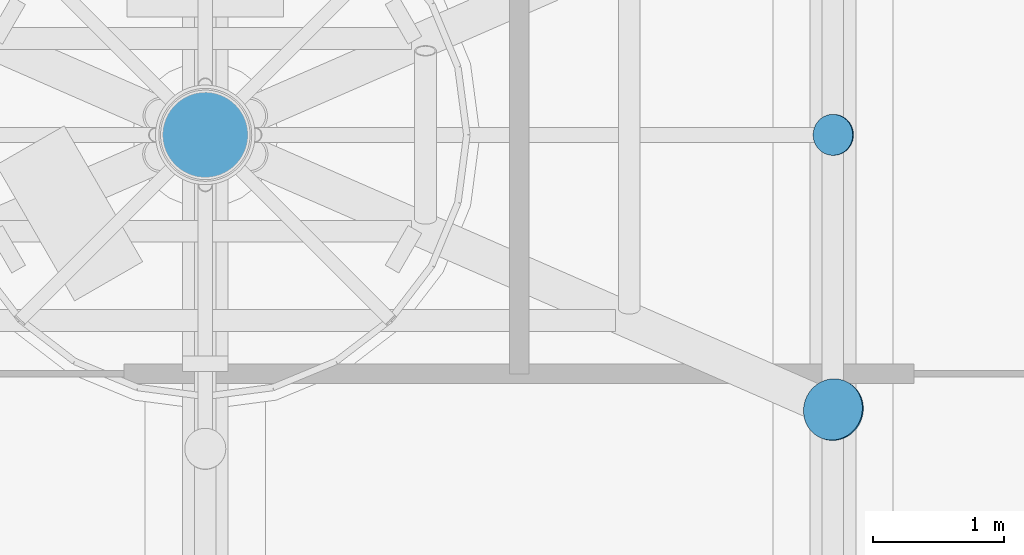
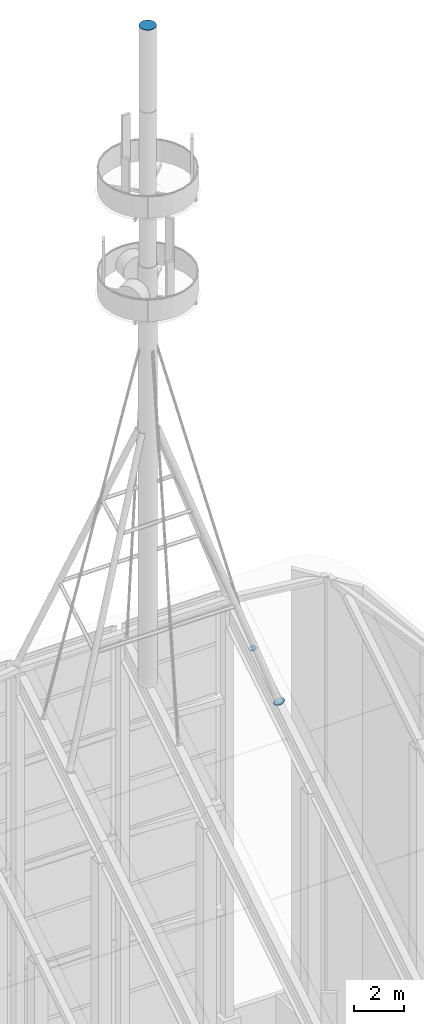
# One storey, part 18 of 25: 3 discrete accessories.
"""IFC4 building model written with IfcOpenShell, lengths in metres."""

from ifc_helpers import new_model, si_unit, direction, frame, origin, origin_2d, place, context, subcontext, project, spatial, circle, extrude, element, save


model = new_model("IFC4")

# Units and contexts
model_context = context("Model", 3, precision=1e-05, world=origin(), true_north=direction((0.0, 1.0)))
body_context = subcontext(model_context, "Body", "Model", "MODEL_VIEW")
ifc_project = project(units=[si_unit("LENGTHUNIT", "METRE"), si_unit("AREAUNIT", "SQUARE_METRE"), si_unit("VOLUMEUNIT", "CUBIC_METRE"), si_unit("PLANEANGLEUNIT", "RADIAN"), si_unit("MASSUNIT", "GRAM", prefix="KILO")], contexts=[model_context])

# Site, building, storey
site_placement = place(None, origin())
site = spatial("IfcSite", under=ifc_project, at=site_placement, CompositionType="ELEMENT")
building_placement = place(site_placement, origin())
building = spatial("IfcBuilding", under=site, at=building_placement, Name="Kolab Exchange Tower", CompositionType="ELEMENT")
storey_placement = place(building_placement, frame((0.0, 0.0, 301.89990234375)))
storey = spatial("IfcBuildingStorey", under=building, at=storey_placement, Name="L68", CompositionType="ELEMENT", Elevation=301.89990234375)

# Discrete accessories
discrete_accessory_1_placement = place(storey_placement, frame((0.0, 14.227783203125, 55.780517578125), z_axis=(0.0, 0.0, 1.0), x_axis=(1.0, 0.0, 0.0)))
element("IfcDiscreteAccessory", 1, at=discrete_accessory_1_placement, inside=storey, Name="Antenna mast cap plate", ObjectType="END CAP PLATE", PredefinedType="USERDEFINED", context=body_context, shape_type="SweptSolid", body=[
    extrude(circle(Radius=0.342529296875, at=origin_2d()), origin(), (0.0, 0.0, 1.0), 0.02490234375),
])
discrete_accessory_2_placement = place(storey_placement, frame((4.800048828125, 12.127685546875, 22.643798828125), z_axis=(0.301582676133, -0.136198627931, -0.943661922092), x_axis=(0.411586722426, 0.911370599659, 0.0)))
element("IfcDiscreteAccessory", 2, at=discrete_accessory_2_placement, inside=storey, Name="Gusset plate", ObjectType="GUSSET PLATE", PredefinedType="USERDEFINED", context=body_context, shape_type="SweptSolid", body=[
    extrude(circle(Radius=0.236572265625, at=origin_2d()), origin(), (0.0, 0.0, 1.0), 0.025146484375),
])
discrete_accessory_3_placement = place(storey_placement, frame((4.800048828125, 14.227783203125, 23.955810546875), z_axis=(0.256434699025, 0.0, -0.966561557862), x_axis=(0.0, 1.0, 0.0)))
element("IfcDiscreteAccessory", 3, at=discrete_accessory_3_placement, inside=storey, Name="Gusset plate", ObjectType="GUSSET PLATE", PredefinedType="USERDEFINED", context=body_context, shape_type="SweptSolid", body=[
    extrude(circle(Radius=0.156982421875, at=origin_2d()), origin(), (0.0, 0.0, 1.0), 0.024658203125),
])

save(model, "model.ifc")
